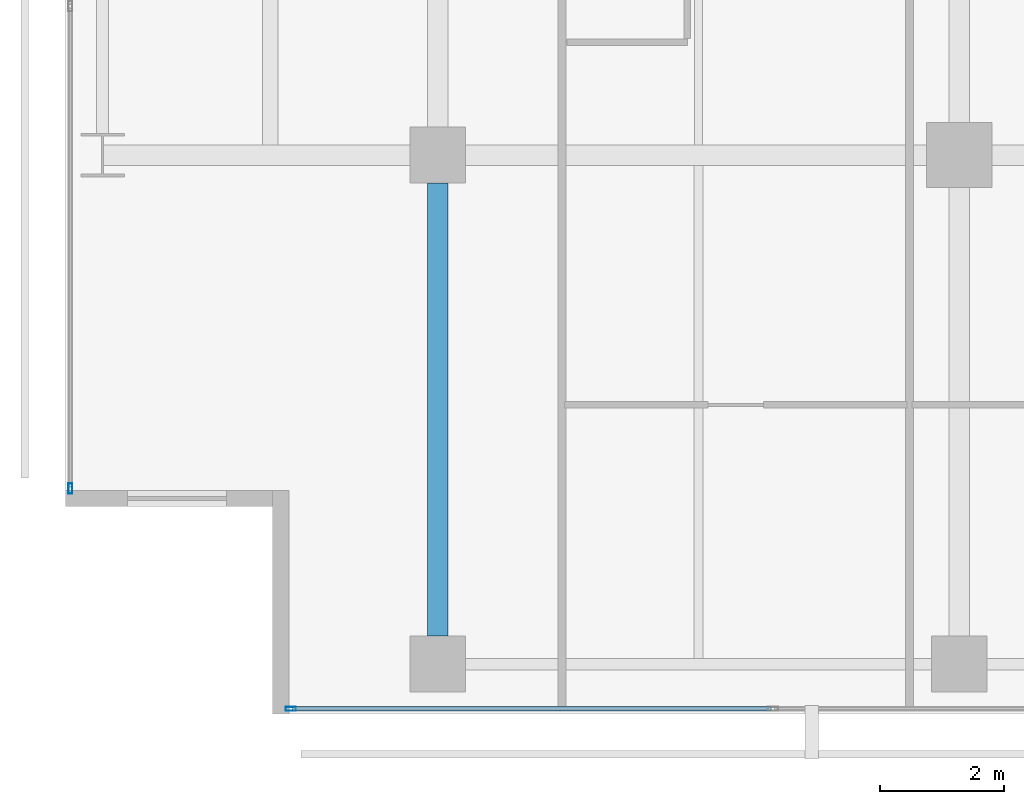
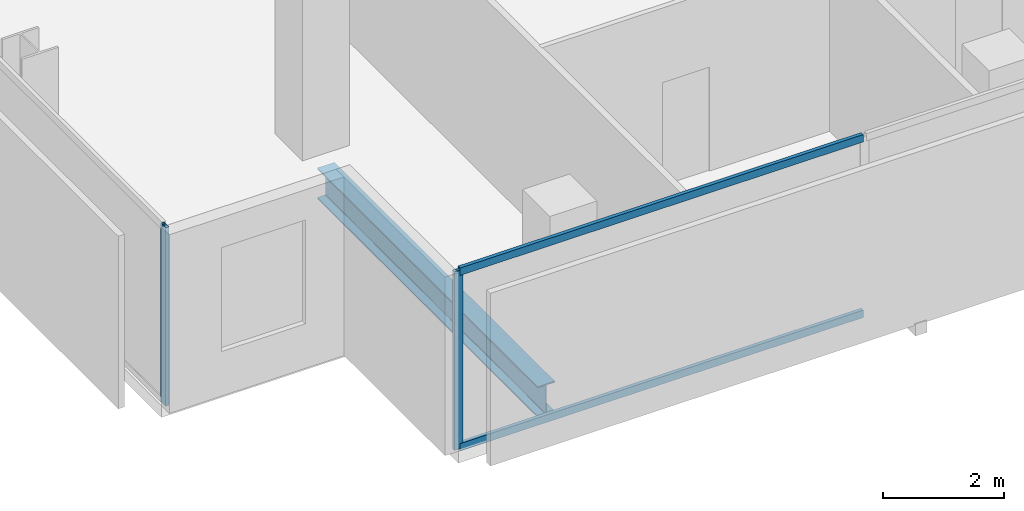
# One storey, part 2 of 40: 4 members, 1 beam, 2 elements without a shape of their own.
"""IFC4 building model written with IfcOpenShell, lengths in metres."""

from ifc_helpers import new_model, si_unit, direction, frame, origin, origin_2d, place, context, subcontext, project, spatial, hollow_rectangle, i_section, extrude, material, layer, layer_set, material_profile, profile_set, type_object, element, aggregate, save


model = new_model("IFC4")

# Units and contexts
model_context = context("Model", 3, precision=1e-05, world=origin(), true_north=direction((0.0, 1.0)))
body_context = subcontext(model_context, "Body", "Model", "MODEL_VIEW")
ifc_project = project(units=[si_unit("LENGTHUNIT", "METRE"), si_unit("AREAUNIT", "SQUARE_METRE"), si_unit("VOLUMEUNIT", "CUBIC_METRE"), si_unit("PLANEANGLEUNIT", "RADIAN"), si_unit("MASSUNIT", "GRAM", prefix="KILO")], contexts=[model_context])

# Site, building, storey
site_placement = place(None, origin())
site = spatial("IfcSite", under=ifc_project, at=site_placement, CompositionType="ELEMENT")
building_placement = place(site_placement, origin())
building = spatial("IfcBuilding", under=site, at=building_placement, Name="Maruvema Waterfront Hotel and Observation Tower", CompositionType="ELEMENT")
storey_placement = place(building_placement, frame((0.0, 0.0, 53.89990234375)))
storey = spatial("IfcBuildingStorey", under=building, at=storey_placement, Name="L12", CompositionType="ELEMENT", Elevation=53.89990234375)

# Curtain wall, members
ifc_material_1 = material(Name="Anodised bronze aluminium and solar-control low-E IGU", Category="aluminium")
ifc_layer = layer(ifc_material_1, 0.159912109375, Name="Zone 1 Bronze Inner Thermal Curtain Wall System CW-02")
ifc_layer_set = layer_set([ifc_layer], Name="Anodised bronze aluminium and solar-control low-E IGU")
curtain_wall_type = type_object("IfcCurtainWallType", Name="Zone 1 Bronze Inner Thermal Curtain Wall System CW-02", PredefinedType="USERDEFINED", material=ifc_layer_set)
curtain_wall_1_placement = place(storey_placement, origin())
curtain_wall_1 = element("IfcCurtainWall", 1, at=curtain_wall_1_placement, inside=storey, type_object=curtain_wall_type, Name="L12 Curtain Wall CW-L12-S", ObjectType="UNITISED CURTAIN WALL", PredefinedType="USERDEFINED")
ifc_material_2 = material(Name="Anodised architectural bronze aluminium", Category="aluminium")
ifc_material_profile_1 = material_profile(ifc_material_2, hollow_rectangle(XDim=0.070068359375, YDim=0.14990234375, WallThickness=0.00390625, at=origin_2d()), Name="ALU-T70x150")
ifc_profile_set_1 = profile_set([ifc_material_profile_1], Name="Anodised architectural bronze aluminium")
member_type_1 = type_object("IfcMemberType", Name="Curtain Wall Horizontal Transom ALU-T70x150", PredefinedType="USERDEFINED", material=ifc_profile_set_1)
member_1_placement = place(storey_placement, frame((14.4599609375, 0.080078125, 0.030029296875), z_axis=(1.0, 0.0, 0.0), x_axis=(0.0, 1.0, 0.0)))
member_1 = element("IfcMember", 2, at=member_1_placement, type_object=member_type_1, Name="CW-02 transom 1.1", ObjectType="TRANSOM", PredefinedType="USERDEFINED", context=body_context, shape_type="SweptSolid", body=[
    extrude(hollow_rectangle(XDim=0.070068359375, YDim=0.14990234375, WallThickness=0.00390625, at=origin_2d()), origin(), (0.0, 0.0, 1.0), 7.7099609375),
])
member_2_placement = place(storey_placement, frame((14.4599609375, 0.080078125, 3.580078125), z_axis=(1.0, 0.0, 0.0), x_axis=(0.0, 1.0, 0.0)))
member_2 = element("IfcMember", 3, at=member_2_placement, type_object=member_type_1, Name="CW-02 transom 1.2", ObjectType="TRANSOM", PredefinedType="USERDEFINED", context=body_context, shape_type="SweptSolid", body=[
    extrude(hollow_rectangle(XDim=0.070068359375, YDim=0.14990234375, WallThickness=0.00390625, at=origin_2d()), origin(), (0.0, 0.0, 1.0), 7.7099609375),
])
ifc_material_3 = material(Name="Anodised architectural bronze aluminium", Category="aluminium")
ifc_material_profile_2 = material_profile(ifc_material_3, hollow_rectangle(XDim=0.06494140625, YDim=0.1650390625, WallThickness=0.00390625, at=origin_2d()), Name="ALU-M65x165")
ifc_profile_set_2 = profile_set([ifc_material_profile_2], Name="Anodised architectural bronze aluminium")
member_type_2 = type_object("IfcMemberType", Name="Curtain Wall Primary Mullion ALU-M65x165", PredefinedType="MULLION", material=ifc_profile_set_2)
member_3_placement = place(storey_placement, frame((14.429931640625, 0.080078125, 0.0), z_axis=(0.0, 0.0, 1.0), x_axis=(0.0, 1.0, 0.0)))
member_3 = element("IfcMember", 4, at=member_3_placement, type_object=member_type_2, Name="CW-02 mullion 1", PredefinedType="MULLION", context=body_context, shape_type="SweptSolid", body=[
    extrude(hollow_rectangle(XDim=0.06494140625, YDim=0.1650390625, WallThickness=0.00390625, at=origin_2d()), origin(), (0.0, 0.0, 1.0), 3.610107421875),
])
aggregate(curtain_wall_1, [member_3, member_1, member_2])

# Curtain wall, member
curtain_wall_2_placement = place(storey_placement, origin())
curtain_wall_2 = element("IfcCurtainWall", 5, at=curtain_wall_2_placement, inside=storey, type_object=curtain_wall_type, Name="L12 Curtain Wall CW-L12-W", ObjectType="UNITISED CURTAIN WALL", PredefinedType="USERDEFINED")
member_4_placement = place(storey_placement, frame((10.8798828125, 3.6298828125, 0.0), z_axis=(0.0, 0.0, 1.0), x_axis=(1.0, 0.0, 0.0)))
member_4 = element("IfcMember", 6, at=member_4_placement, type_object=member_type_2, Name="CW-02 mullion 7", PredefinedType="MULLION", context=body_context, shape_type="SweptSolid", body=[
    extrude(hollow_rectangle(XDim=0.06494140625, YDim=0.1650390625, WallThickness=0.00390625, at=origin_2d()), origin(), (0.0, 0.0, 1.0), 3.610107421875),
])
aggregate(curtain_wall_2, [member_4])

# Beam
ifc_material_4 = material(Name="Steel ASTM A572 Grade 50", Category="steel")
ifc_material_profile_3 = material_profile(ifc_material_4, i_section(OverallWidth=0.326904296875, OverallDepth=0.6220703125, WebThickness=0.015380859375, FlangeThickness=0.0244140625, FilletRadius=0.01806640625, at=origin_2d()), Name="W610x195.0")
ifc_profile_set_3 = profile_set([ifc_material_profile_3], Name="Steel ASTM A572 Grade 50")
beam_type = type_object("IfcBeamType", Name="Primary Floor Girder W610x195.0", PredefinedType="BEAM", material=ifc_profile_set_3)
beam_placement = place(storey_placement, frame((16.800048828125, 1.25, -0.55078125), z_axis=(0.0, 1.0, 0.0), x_axis=(-1.0, 0.0, 0.0)))
element("IfcBeam", 7, at=beam_placement, inside=storey, type_object=beam_type, Name="L12 Floor Girder NS-05", PredefinedType="BEAM", context=body_context, shape_type="SweptSolid", body=[
    extrude(i_section(OverallWidth=0.326904296875, OverallDepth=0.6220703125, WebThickness=0.015380859375, FlangeThickness=0.0244140625, FilletRadius=0.01806640625, at=origin_2d()), origin(), (0.0, 0.0, 1.0), 7.300048828125),
])

save(model, "model.ifc")
